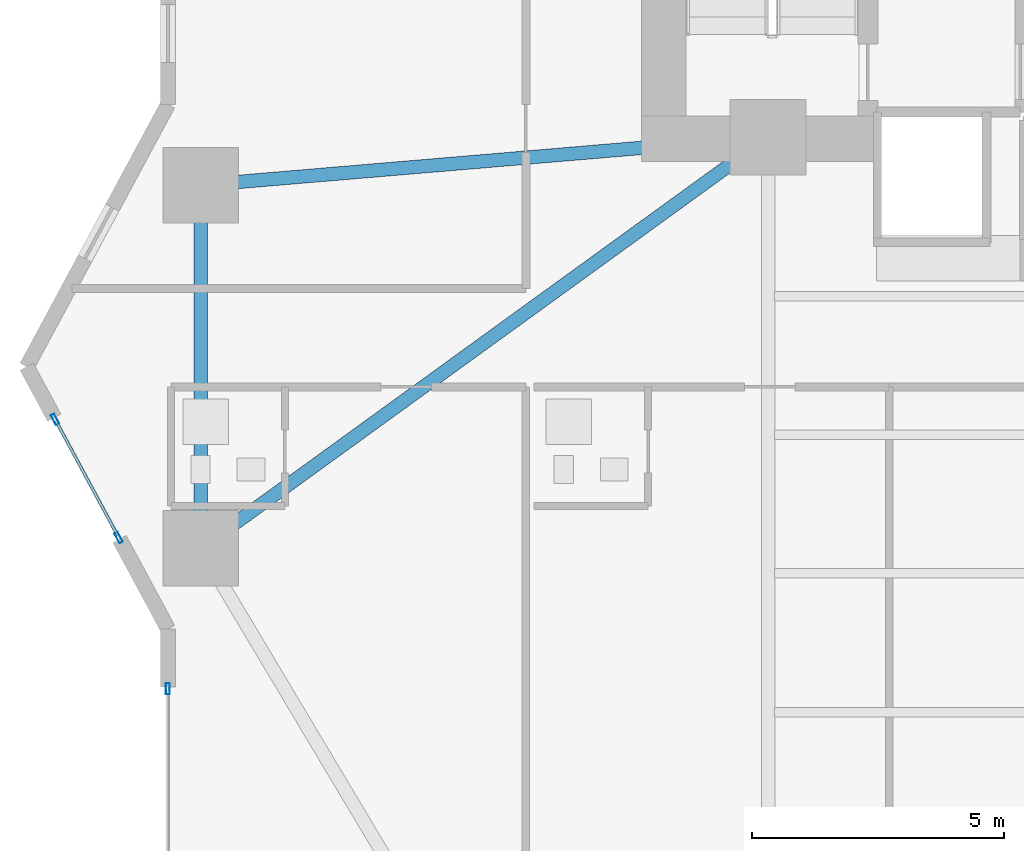
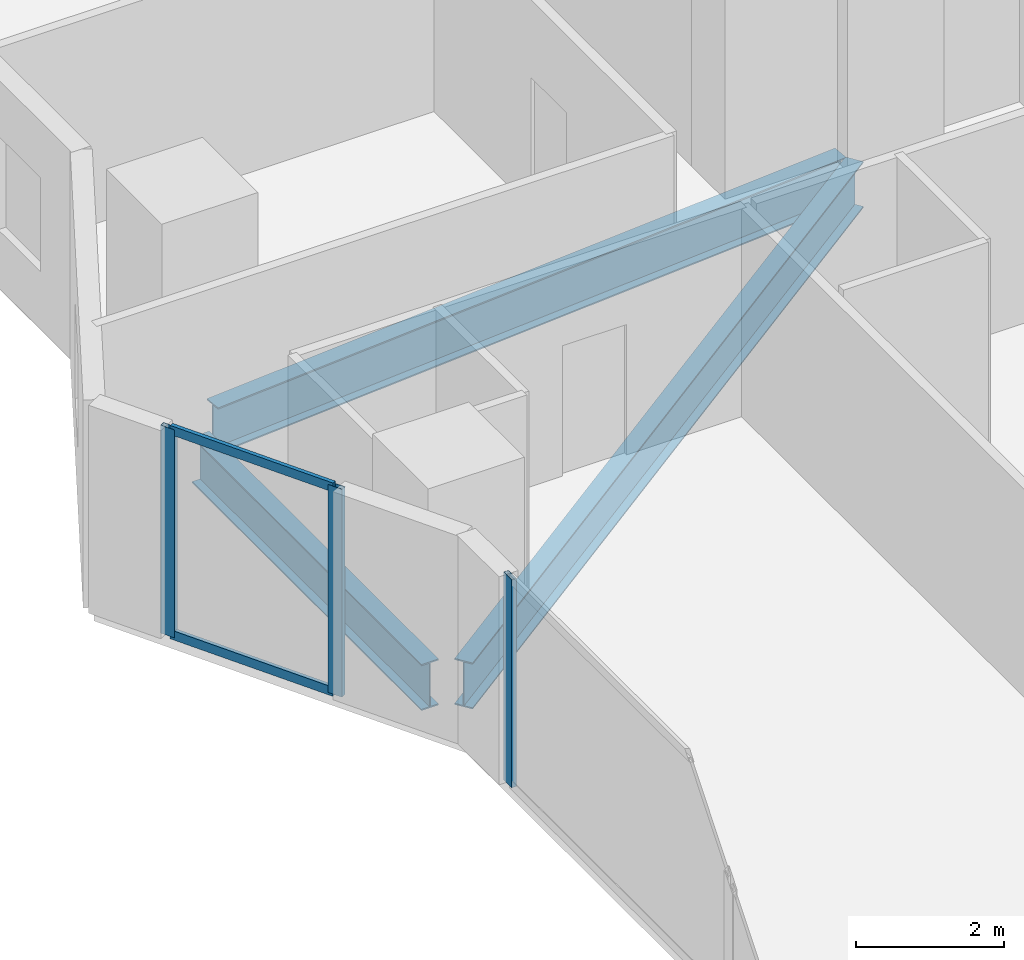
# One storey, part 6 of 28: 5 members, 3 beams, 2 elements without a shape of their own.
"""IFC4 building model written with IfcOpenShell, lengths in metres."""

from ifc_helpers import new_model, si_unit, direction, frame, origin, origin_2d, place, context, subcontext, project, spatial, hollow_rectangle, i_section, extrude, material, layer, layer_set, material_profile, profile_set, type_object, element, aggregate, save


model = new_model("IFC4")

# Units and contexts
model_context = context("Model", 3, precision=1e-05, world=origin(), true_north=direction((0.0, 1.0)))
body_context = subcontext(model_context, "Body", "Model", "MODEL_VIEW")
ifc_project = project(units=[si_unit("LENGTHUNIT", "METRE"), si_unit("AREAUNIT", "SQUARE_METRE"), si_unit("VOLUMEUNIT", "CUBIC_METRE"), si_unit("PLANEANGLEUNIT", "RADIAN"), si_unit("MASSUNIT", "GRAM", prefix="KILO")], contexts=[model_context])

# Site, building, storey
site_placement = place(None, origin())
site = spatial("IfcSite", under=ifc_project, at=site_placement, CompositionType="ELEMENT")
building_placement = place(site_placement, origin())
building = spatial("IfcBuilding", under=site, at=building_placement, Name="Zuhayl Quay Hotel", CompositionType="ELEMENT")
storey_placement = place(building_placement, frame((0.0, 0.0, 75.050048828125)))
storey = spatial("IfcBuildingStorey", under=building, at=storey_placement, Name="L18", CompositionType="ELEMENT", Elevation=75.050048828125)

# Beams
ifc_material_1 = material(Name="Steel ASTM A992 Grade 50", Category="steel")
ifc_material_profile_1 = material_profile(ifc_material_1, i_section(OverallWidth=0.26708984375, OverallDepth=0.761962890625, WebThickness=0.014404296875, FlangeThickness=0.021484375, at=origin_2d()), Name="W30X116")
ifc_profile_set_1 = profile_set([ifc_material_profile_1], Name="Steel ASTM A992 Grade 50")
beam_type = type_object("IfcBeamType", Name="BM_B1_W30X116", PredefinedType="BEAM", material=ifc_profile_set_1)
beam_1_placement = place(storey_placement, frame((-25.050048828125, 3.10009765625, -0.60107421875), z_axis=(0.0, -1.0, 0.0), x_axis=(1.0, 0.0, 0.0)))
element("IfcBeam", 1, at=beam_1_placement, inside=storey, type_object=beam_type, Name="L18 Floor Beam RG_L18_11", PredefinedType="BEAM", context=body_context, shape_type="SweptSolid", body=[
    extrude(i_section(OverallWidth=0.26708984375, OverallDepth=0.761962890625, WebThickness=0.014404296875, FlangeThickness=0.021484375, at=origin_2d()), origin(), (0.0, 0.0, 1.0), 6.2001953125),
])
beam_2_placement = place(storey_placement, frame((-24.64501953125, -3.306640625, -0.60107421875), z_axis=(0.809830244688, 0.586664277751, 0.0), x_axis=(-0.586664277751, 0.809830244688, 0.0)))
element("IfcBeam", 2, at=beam_2_placement, inside=storey, type_object=beam_type, Name="L18 Floor Beam FG_W_L18_1", PredefinedType="BEAM", context=body_context, shape_type="SweptSolid", body=[
    extrude(i_section(OverallWidth=0.26708984375, OverallDepth=0.761962890625, WebThickness=0.014404296875, FlangeThickness=0.021484375, at=origin_2d()), origin(), (0.0, 0.0, 1.0), 12.94189453125),
])
beam_3_placement = place(storey_placement, frame((-24.5517578125, 3.64208984375, -0.60107421875), z_axis=(0.996453145398, 0.084149444594, 0.0), x_axis=(-0.084149444594, 0.996453145398, 0.0)))
element("IfcBeam", 3, at=beam_3_placement, inside=storey, type_object=beam_type, Name="L18 Floor Beam FG_W_L18_2", PredefinedType="BEAM", context=body_context, shape_type="SweptSolid", body=[
    extrude(i_section(OverallWidth=0.26708984375, OverallDepth=0.761962890625, WebThickness=0.014404296875, FlangeThickness=0.021484375, at=origin_2d()), origin(), (0.0, 0.0, 1.0), 10.340087890625),
])

# Curtain wall, member
ifc_material_2 = material(Name="Anodised Aluminium 6063-T6", Category="aluminium")
ifc_layer = layer(ifc_material_2, 0.18994140625, Name="Anodised Aluminium 6063-T6", Category="aluminium")
ifc_layer_set = layer_set([ifc_layer], Name="Anodised Aluminium 6063-T6")
curtain_wall_type = type_object("IfcCurtainWallType", Name="CW_SYS_Z1", PredefinedType="USERDEFINED", material=ifc_layer_set)
curtain_wall_1_placement = place(storey_placement, origin())
curtain_wall_1 = element("IfcCurtainWall", 4, at=curtain_wall_1_placement, inside=storey, type_object=curtain_wall_type, Name="L18 Curtain Wall ENV_L18_E02_CW1", ObjectType="UNITISED CURTAIN WALL", PredefinedType="USERDEFINED")
ifc_material_3 = material(Name="Black-anodised aluminium 6063-T6", Category="aluminium")
ifc_material_profile_2 = material_profile(ifc_material_3, hollow_rectangle(XDim=0.074951171875, YDim=0.219970703125, WallThickness=0.00390625, at=origin_2d()), Name="ALU220X75")
ifc_profile_set_2 = profile_set([ifc_material_profile_2], Name="Black-anodised aluminium 6063-T6")
member_type_1 = type_object("IfcMemberType", Name="MB_CW_MUL_220", PredefinedType="MULLION", material=ifc_profile_set_2)
member_1_placement = place(storey_placement, frame((-25.699951171875, -6.387451171875, 0.0), z_axis=(0.0, 0.0, 1.0), x_axis=(-1.0, 0.0, 0.0)))
member_1 = element("IfcMember", 5, at=member_1_placement, type_object=member_type_1, Name="CW-Z1 mullion 3", PredefinedType="MULLION", context=body_context, shape_type="SweptSolid", body=[
    extrude(hollow_rectangle(XDim=0.074951171875, YDim=0.219970703125, WallThickness=0.00390625, at=origin_2d()), origin(), (0.0, 0.0, 1.0), 3.429931640625),
])
aggregate(curtain_wall_1, [member_1])

# Curtain wall, members
curtain_wall_2_placement = place(storey_placement, origin())
curtain_wall_2 = element("IfcCurtainWall", 6, at=curtain_wall_2_placement, inside=storey, type_object=curtain_wall_type, Name="L18 Curtain Wall ENV_L18_E03_CW1", ObjectType="UNITISED CURTAIN WALL", PredefinedType="USERDEFINED")
member_2_placement = place(storey_placement, frame((-26.67578125, -3.387939453125, 0.0), z_axis=(0.0, 0.0, 1.0), x_axis=(-0.880475795468, -0.474091102632, 0.0)))
member_2 = element("IfcMember", 7, at=member_2_placement, type_object=member_type_1, Name="CW-Z1 mullion 1", PredefinedType="MULLION", context=body_context, shape_type="SweptSolid", body=[
    extrude(hollow_rectangle(XDim=0.074951171875, YDim=0.219970703125, WallThickness=0.00390625, at=origin_2d()), origin(), (0.0, 0.0, 1.0), 3.429931640625),
])
member_3_placement = place(storey_placement, frame((-27.93701171875, -1.04541015625, 0.0), z_axis=(0.0, 0.0, 1.0), x_axis=(-0.880475795468, -0.474091102632, 0.0)))
member_3 = element("IfcMember", 8, at=member_3_placement, type_object=member_type_1, Name="CW-Z1 mullion 2", PredefinedType="MULLION", context=body_context, shape_type="SweptSolid", body=[
    extrude(hollow_rectangle(XDim=0.074951171875, YDim=0.219970703125, WallThickness=0.00390625, at=origin_2d()), origin(), (0.0, 0.0, 1.0), 3.429931640625),
])
ifc_material_profile_3 = material_profile(ifc_material_3, hollow_rectangle(XDim=0.06005859375, YDim=0.14990234375, WallThickness=0.00341796875, at=origin_2d()), Name="ALU150X60")
ifc_profile_set_3 = profile_set([ifc_material_profile_3], Name="Black-anodised aluminium 6063-T6")
member_type_2 = type_object("IfcMemberType", Name="MB_CW_TRN_150", PredefinedType="USERDEFINED", material=ifc_profile_set_3)
member_4_placement = place(storey_placement, frame((-26.693603515625, -3.35498046875, 0.030029296875), z_axis=(-0.474054771703, 0.880495356845, 0.0), x_axis=(-0.880495356845, -0.474054771703, 0.0)))
member_4 = element("IfcMember", 9, at=member_4_placement, type_object=member_type_2, Name="CW-Z1 transom 1.1", ObjectType="TRANSOM", PredefinedType="USERDEFINED", context=body_context, shape_type="SweptSolid", body=[
    extrude(hollow_rectangle(XDim=0.06005859375, YDim=0.14990234375, WallThickness=0.00341796875, at=origin_2d()), origin(), (0.0, 0.0, 1.0), 2.585205078125),
])
member_5_placement = place(storey_placement, frame((-26.693603515625, -3.35498046875, 3.39990234375), z_axis=(-0.474054771703, 0.880495356845, 0.0), x_axis=(-0.880495356845, -0.474054771703, 0.0)))
member_5 = element("IfcMember", 10, at=member_5_placement, type_object=member_type_2, Name="CW-Z1 transom 1.2", ObjectType="TRANSOM", PredefinedType="USERDEFINED", context=body_context, shape_type="SweptSolid", body=[
    extrude(hollow_rectangle(XDim=0.06005859375, YDim=0.14990234375, WallThickness=0.00341796875, at=origin_2d()), origin(), (0.0, 0.0, 1.0), 2.585205078125),
])
aggregate(curtain_wall_2, [member_2, member_3, member_4, member_5])

save(model, "model.ifc")
